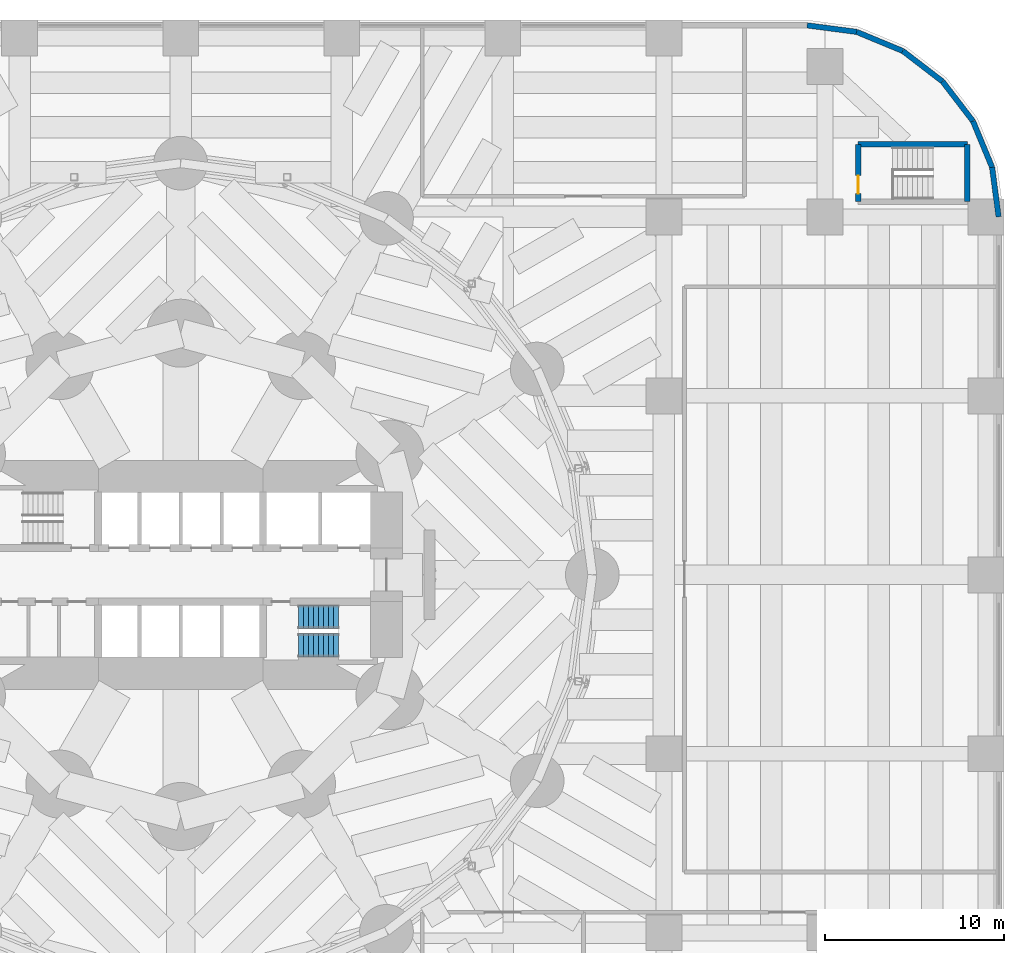
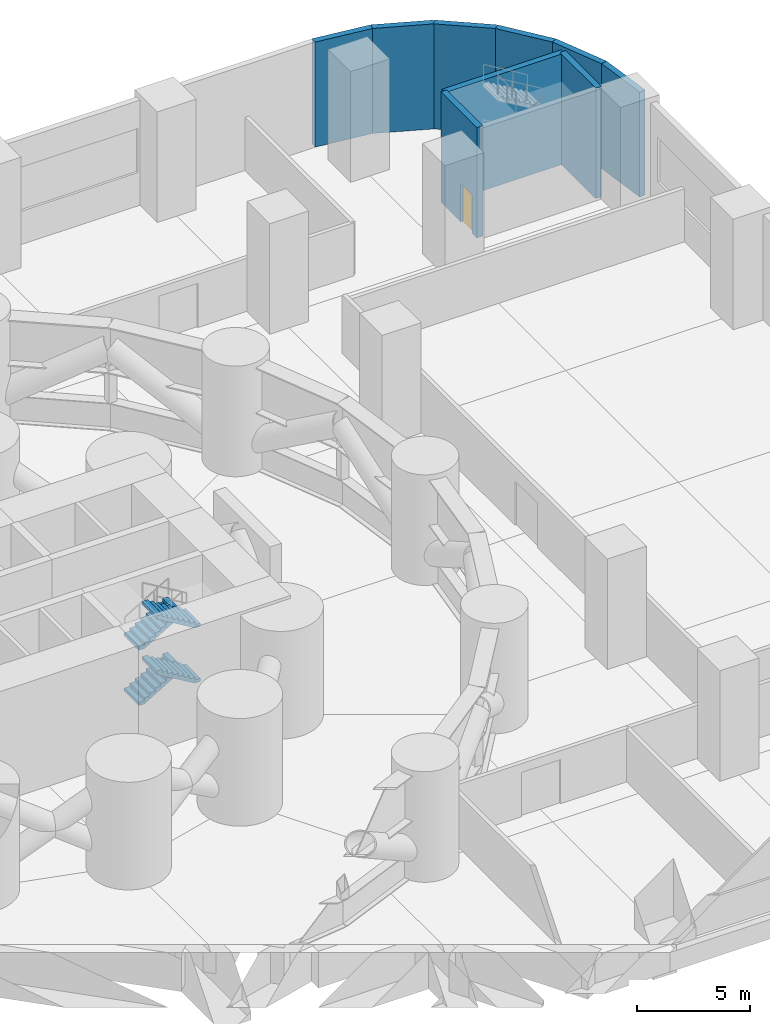
# One storey, part 12 of 14: 9 walls, 4 stair flights, 1 door, 1 opening, 1 element without a shape of its own.
"""IFC4 building model written with IfcOpenShell, lengths in metres."""

from ifc_helpers import new_model, si_unit, direction, frame, frame_2d, origin, place, context, subcontext, project, spatial, polyline, rectangle, outline, extrude, material, layer, layer_set, type_object, element, fill, aggregate, save


model = new_model("IFC4")

# Units and contexts
model_context = context("Model", 3, precision=1e-05, world=origin(), true_north=direction((0.0, 1.0)))
body_context = subcontext(model_context, "Body", "Model", "MODEL_VIEW")
ifc_project = project(units=[si_unit("LENGTHUNIT", "METRE"), si_unit("AREAUNIT", "SQUARE_METRE"), si_unit("VOLUMEUNIT", "CUBIC_METRE"), si_unit("PLANEANGLEUNIT", "RADIAN"), si_unit("MASSUNIT", "GRAM", prefix="KILO")], contexts=[model_context])

# Site, building, storey
site_placement = place(None, origin())
site = spatial("IfcSite", under=ifc_project, at=site_placement, CompositionType="ELEMENT")
building_placement = place(site_placement, origin())
building = spatial("IfcBuilding", under=site, at=building_placement, Name="Qaws Media Tower", CompositionType="ELEMENT")
storey_placement = place(building_placement, frame((0.0, 0.0, 20.0)))
storey = spatial("IfcBuildingStorey", under=building, at=storey_placement, Name="L03", CompositionType="ELEMENT", Elevation=20.0)

# Walls
ifc_material_1 = material(Name="Precast concrete, exposed finish", Category="concrete")
ifc_layer_1 = layer(ifc_material_1, 0.300048828125)
ifc_layer_set_1 = layer_set([ifc_layer_1], Name="Podium facade wall 300")
wall_type_1 = type_object("IfcWallType", Name="Podium facade wall 300", PredefinedType="SOLIDWALL", material=ifc_layer_set_1)
wall_1_placement = place(storey_placement, frame((105.699951171875, 70.0, 0.0), z_axis=(0.0, 0.0, 1.0), x_axis=(-0.130497471798, 0.991448642066, 0.0)))
element("IfcWall", 1, at=wall_1_placement, inside=storey, type_object=wall_type_1, Name="W792 EW2 podium wall L03-08", PredefinedType="SOLIDWALL", context=body_context, shape_type="SweptSolid", body=[
    extrude(rectangle(XDim=2.793212890625, YDim=0.300048828125, at=frame_2d((1.396484375, 0.0))), origin(), (0.0, 0.0, 1.0), 5.699951171875),
])
wall_2_placement = place(storey_placement, frame((105.33544921875, 72.769287109375, 0.0), z_axis=(0.0, 0.0, 1.0), x_axis=(-0.382709424419, 0.923868765822, 0.0)))
element("IfcWall", 2, at=wall_2_placement, inside=storey, type_object=wall_type_1, Name="W790 EW2 podium wall L03-09", PredefinedType="SOLIDWALL", context=body_context, shape_type="SweptSolid", body=[
    extrude(rectangle(XDim=2.79345703125, YDim=0.300048828125, at=frame_2d((1.396728515625, 0.0))), origin(), (0.0, 0.0, 1.0), 5.699951171875),
])
for number, where, z_axis, x_axis, name in (
    (3, (104.266357421875, 75.35009765625, 0.0), (0.0, 0.0, 1.0), (-0.608704923183, 0.793396695539, 0.0), "W788 EW2 podium wall L03-10"),
    (4, (102.566162109375, 77.566162109375, 0.0), (0.0, 0.0, 1.0), (-0.793396695539, 0.608704923183, 0.0), "W786 EW2 podium wall L03-11"),
):
    element("IfcWall", number, at=place(storey_placement, frame(where, z_axis=z_axis, x_axis=x_axis)), inside=storey, type_object=wall_type_1, Name=name, PredefinedType="SOLIDWALL", context=body_context, shape_type="SweptSolid", body=[
        extrude(rectangle(XDim=2.793212890625, YDim=0.300048828125, at=frame_2d((1.396484375, 0.0))), origin(), (0.0, 0.0, 1.0), 5.699951171875),
    ])
wall_3_placement = place(storey_placement, frame((100.35009765625, 79.266357421875, 0.0), z_axis=(0.0, 0.0, 1.0), x_axis=(-0.923868765822, 0.382709424419, 0.0)))
element("IfcWall", 5, at=wall_3_placement, inside=storey, type_object=wall_type_1, Name="W784 EW2 podium wall L03-12", PredefinedType="SOLIDWALL", context=body_context, shape_type="SweptSolid", body=[
    extrude(rectangle(XDim=2.79345703125, YDim=0.300048828125, at=frame_2d((1.396728515625, 0.0))), origin(), (0.0, 0.0, 1.0), 5.699951171875),
])
wall_4_placement = place(storey_placement, frame((97.769287109375, 80.33544921875, 0.0), z_axis=(0.0, 0.0, 1.0), x_axis=(-0.991448642066, 0.130497471798, 0.0)))
element("IfcWall", 6, at=wall_4_placement, inside=storey, type_object=wall_type_1, Name="W782 EW2 podium wall L03-13", PredefinedType="SOLIDWALL", context=body_context, shape_type="SweptSolid", body=[
    extrude(rectangle(XDim=2.793212890625, YDim=0.300048828125, at=frame_2d((1.396484375, 0.0))), origin(), (0.0, 0.0, 1.0), 5.699951171875),
])
ifc_material_2 = material(Name="Concrete C60/75", Category="concrete")
ifc_layer_2 = layer(ifc_material_2, 0.300048828125)
ifc_layer_set_2 = layer_set([ifc_layer_2], Name="Stair enclosure wall 300")
wall_type_2 = type_object("IfcWallType", Name="Stair enclosure wall 300", PredefinedType="SHEAR", material=ifc_layer_set_2)
wall_5_placement = place(storey_placement, frame((97.85009765625, 74.050048828125, 0.0), z_axis=(0.0, 0.0, 1.0), x_axis=(1.0, 0.0, 0.0)))
element("IfcWall", 7, at=wall_5_placement, inside=storey, type_object=wall_type_2, Name="W1888 SW7 stair S4 enclosure N L03", PredefinedType="SHEAR", context=body_context, shape_type="SweptSolid", body=[
    extrude(rectangle(XDim=6.099853515625, YDim=0.300048828125, at=frame_2d((3.0498046875, 0.0))), origin(), (0.0, 0.0, 1.0), 6.0),
])

# Wall, opening, door
wall_6_placement = place(storey_placement, frame((97.85009765625, 70.85009765625, 0.0), z_axis=(0.0, 0.0, 1.0), x_axis=(0.0, 1.0, 0.0)))
wall_6 = element("IfcWall", 8, at=wall_6_placement, inside=storey, type_object=wall_type_2, Name="W1886 SW7 stair S4 enclosure W L03", PredefinedType="SHEAR", context=body_context, shape_type="SweptSolid", body=[
    extrude(rectangle(XDim=3.199951171875, YDim=0.300048828125, at=frame_2d((1.60009765625, 0.0))), origin(), (0.0, 0.0, 1.0), 6.0),
])
opening_placement = place(wall_6_placement, frame((0.449951171875, 0.0, 0.0)))
opening = element("IfcOpeningElement", 9, at=opening_placement, cuts=wall_6, Name="Opening D1", PredefinedType="OPENING", context=body_context, shape_type="SweptSolid", body=[
    extrude(rectangle(XDim=1.0, YDim=2.10009765625, at=frame_2d((0.5, 1.050048828125))), frame((0.0, 0.159912109375, 0.0), z_axis=(0.0, -1.0, 0.0), x_axis=(1.0, 0.0, 0.0)), (0.0, 0.0, 1.0), 0.320068359375),
])
ifc_material_3 = material(Name="Steel, fire rated", Category="steel")
door_type = type_object("IfcDoorType", Name="Stair door 1000 FD120", OperationType="SINGLE_SWING_LEFT", PredefinedType="DOOR", material=ifc_material_3)
door_placement = place(opening_placement, origin())
door = element("IfcDoor", 10, at=door_placement, inside=storey, type_object=door_type, Name="D1 stair S4 door L03 in wall W1886", OperationType="SINGLE_SWING_LEFT", OverallHeight=2.10009765625, OverallWidth=1.0, PredefinedType="DOOR", context=body_context, shape_type="SweptSolid", body=[
    extrude(rectangle(XDim=1.0, YDim=2.10009765625, at=frame_2d((0.5, 1.050048828125))), frame((0.0, 0.02490234375, 0.0), z_axis=(0.0, -1.0, 0.0), x_axis=(1.0, 0.0, 0.0)), (0.0, 0.0, 1.0), 0.050048828125),
])
fill(opening, door)

# Wall
wall_7_placement = place(storey_placement, frame((103.949951171875, 70.85009765625, 0.0), z_axis=(0.0, 0.0, 1.0), x_axis=(0.0, 1.0, 0.0)))
element("IfcWall", 11, at=wall_7_placement, inside=storey, type_object=wall_type_2, Name="W1889 SW7 stair S4 enclosure E L03", PredefinedType="SHEAR", context=body_context, shape_type="SweptSolid", body=[
    extrude(rectangle(XDim=3.199951171875, YDim=0.300048828125, at=frame_2d((1.60009765625, 0.0))), origin(), (0.0, 0.0, 1.0), 6.0),
])

# Stair, stair flights
ifc_material_4 = material(Name="Concrete C40/50", Category="concrete")
stair_type = type_object("IfcStairType", Name="Exit stair", PredefinedType="HALF_TURN_STAIR", material=ifc_material_4)
stair_placement = place(storey_placement, origin())
stair = element("IfcStair", 12, at=stair_placement, inside=storey, type_object=stair_type, Name="S2 exit stair L03", PredefinedType="HALF_TURN_STAIR")
ifc_material_5 = material(Name="Concrete C40/50", Category="concrete")
stair_flight_type = type_object("IfcStairFlightType", Name="Stair flight 1310", PredefinedType="STRAIGHT", material=ifc_material_5)
stair_flight_1_placement = place(storey_placement, frame((66.580078125, 47.64501953125, 0.0), z_axis=(0.0, 0.0, 1.0), x_axis=(1.0, 0.0, 0.0)))
stair_flight_1 = element("IfcStairFlight", 13, at=stair_flight_1_placement, type_object=stair_flight_type, Name="S2 flight 1", NumberOfRisers=9, NumberOfTreads=8, PredefinedType="STRAIGHT", RiserHeight=0.166666667, TreadLength=0.28, context=body_context, shape_type="SweptSolid", body=[
    extrude(outline(polyline([(0.0, 0.0), (0.0, 0.166748046875), (0.280029296875, 0.166748046875), (0.280029296875, 0.333251953125), (0.56005859375, 0.333251953125), (0.56005859375, 0.5), (0.840087890625, 0.5), (0.840087890625, 0.666748046875), (1.1201171875, 0.666748046875), (1.1201171875, 0.833251953125), (1.39990234375, 0.833251953125), (1.39990234375, 1.0), (1.679931640625, 1.0), (1.679931640625, 1.166748046875), (1.9599609375, 1.166748046875), (1.9599609375, 1.333251953125), (2.239990234375, 1.333251953125), (2.239990234375, 1.5), (2.239990234375, 1.158935546875), (0.29296875, 0.0), (0.0, 0.0)])), frame((0.0, 0.655029296875, 0.0), z_axis=(0.0, -1.0, 0.0), x_axis=(1.0, 0.0, 0.0)), (0.0, 0.0, 1.0), 1.31005859375),
])
stair_flight_2_placement = place(storey_placement, frame((68.820068359375, 46.054931640625, 1.5), z_axis=(0.0, 0.0, 1.0), x_axis=(-1.0, 0.0, 0.0)))
stair_flight_2 = element("IfcStairFlight", 14, at=stair_flight_2_placement, type_object=stair_flight_type, Name="S2 flight 2", NumberOfRisers=9, NumberOfTreads=8, PredefinedType="STRAIGHT", RiserHeight=0.166666667, TreadLength=0.28, context=body_context, shape_type="SweptSolid", body=[
    extrude(outline(polyline([(0.0, 0.0), (0.0, 0.166748046875), (0.280029296875, 0.166748046875), (0.280029296875, 0.333251953125), (0.56005859375, 0.333251953125), (0.56005859375, 0.5), (0.840087890625, 0.5), (0.840087890625, 0.666748046875), (1.1201171875, 0.666748046875), (1.1201171875, 0.833251953125), (1.39990234375, 0.833251953125), (1.39990234375, 1.0), (1.679931640625, 1.0), (1.679931640625, 1.166748046875), (1.9599609375, 1.166748046875), (1.9599609375, 1.333251953125), (2.239990234375, 1.333251953125), (2.239990234375, 1.5), (2.239990234375, 1.158935546875), (0.29296875, 0.0), (0.0, 0.0)])), frame((0.0, 0.655029296875, 0.0), z_axis=(0.0, -1.0, 0.0), x_axis=(1.0, 0.0, 0.0)), (0.0, 0.0, 1.0), 1.31005859375),
])
stair_flight_3_placement = place(storey_placement, frame((66.580078125, 47.64501953125, 3.0), z_axis=(0.0, 0.0, 1.0), x_axis=(1.0, 0.0, 0.0)))
stair_flight_3 = element("IfcStairFlight", 15, at=stair_flight_3_placement, type_object=stair_flight_type, Name="S2 flight 3", NumberOfRisers=9, NumberOfTreads=8, PredefinedType="STRAIGHT", RiserHeight=0.166666667, TreadLength=0.28, context=body_context, shape_type="SweptSolid", body=[
    extrude(outline(polyline([(0.0, 0.0), (0.0, 0.166748046875), (0.280029296875, 0.166748046875), (0.280029296875, 0.333251953125), (0.56005859375, 0.333251953125), (0.56005859375, 0.5), (0.840087890625, 0.5), (0.840087890625, 0.666748046875), (1.1201171875, 0.666748046875), (1.1201171875, 0.833251953125), (1.39990234375, 0.833251953125), (1.39990234375, 1.0), (1.679931640625, 1.0), (1.679931640625, 1.166748046875), (1.9599609375, 1.166748046875), (1.9599609375, 1.333251953125), (2.239990234375, 1.333251953125), (2.239990234375, 1.5), (2.239990234375, 1.158935546875), (0.29296875, 0.0), (0.0, 0.0)])), frame((0.0, 0.655029296875, 0.0), z_axis=(0.0, -1.0, 0.0), x_axis=(1.0, 0.0, 0.0)), (0.0, 0.0, 1.0), 1.31005859375),
])
stair_flight_4_placement = place(storey_placement, frame((68.820068359375, 46.054931640625, 4.5), z_axis=(0.0, 0.0, 1.0), x_axis=(-1.0, 0.0, 0.0)))
stair_flight_4 = element("IfcStairFlight", 16, at=stair_flight_4_placement, type_object=stair_flight_type, Name="S2 flight 4", NumberOfRisers=9, NumberOfTreads=8, PredefinedType="STRAIGHT", RiserHeight=0.166666667, TreadLength=0.28, context=body_context, shape_type="SweptSolid", body=[
    extrude(outline(polyline([(0.0, 0.0), (0.0, 0.166748046875), (0.280029296875, 0.166748046875), (0.280029296875, 0.333251953125), (0.56005859375, 0.333251953125), (0.56005859375, 0.5), (0.840087890625, 0.5), (0.840087890625, 0.666748046875), (1.1201171875, 0.666748046875), (1.1201171875, 0.833251953125), (1.39990234375, 0.833251953125), (1.39990234375, 1.0), (1.679931640625, 1.0), (1.679931640625, 1.166748046875), (1.9599609375, 1.166748046875), (1.9599609375, 1.333251953125), (2.239990234375, 1.333251953125), (2.239990234375, 1.5), (2.239990234375, 1.158935546875), (0.29296875, 0.0), (0.0, 0.0)])), frame((0.0, 0.655029296875, 0.0), z_axis=(0.0, -1.0, 0.0), x_axis=(1.0, 0.0, 0.0)), (0.0, 0.0, 1.0), 1.31005859375),
])
aggregate(stair, [stair_flight_1, stair_flight_2, stair_flight_3, stair_flight_4])

save(model, "model.ifc")
